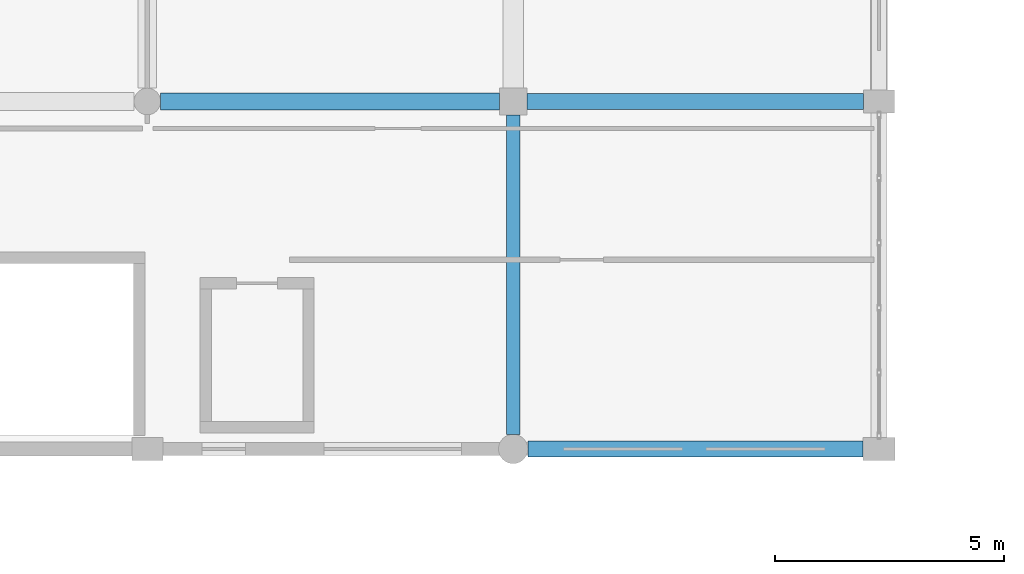
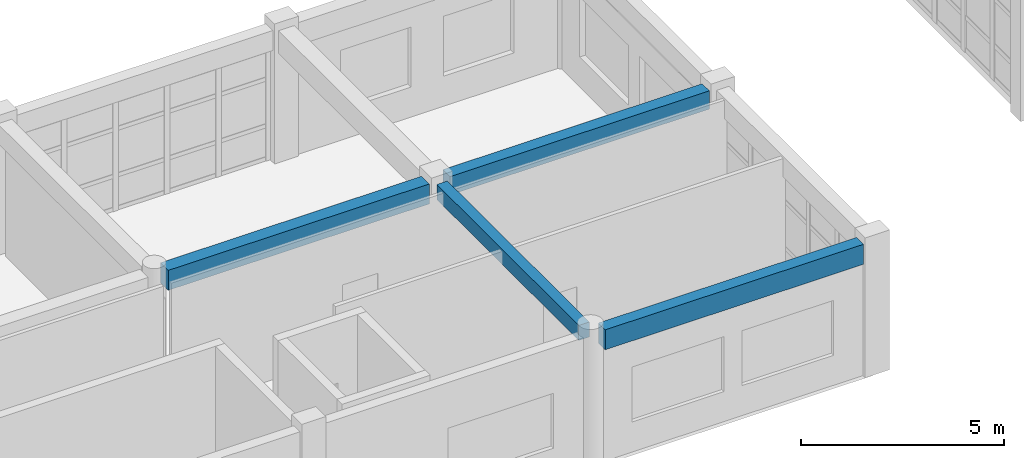
# One storey, part 38 of 121: 4 beams.
"""IFC4 building model written with IfcOpenShell, lengths in metres."""

from ifc_helpers import new_model, si_unit, direction, frame, origin, origin_2d, place, context, subcontext, project, spatial, rectangle, extrude, material, material_profile, profile_set, type_object, element, save


model = new_model("IFC4")

# Units and contexts
model_context = context("Model", 3, precision=1e-05, world=origin(), true_north=direction((0.0, 1.0)))
body_context = subcontext(model_context, "Body", "Model", "MODEL_VIEW")
ifc_project = project(units=[si_unit("LENGTHUNIT", "METRE"), si_unit("AREAUNIT", "SQUARE_METRE"), si_unit("VOLUMEUNIT", "CUBIC_METRE"), si_unit("PLANEANGLEUNIT", "RADIAN"), si_unit("MASSUNIT", "GRAM", prefix="KILO")], contexts=[model_context])

# Site, building, storey
site_placement = place(None, origin())
site = spatial("IfcSite", under=ifc_project, at=site_placement, CompositionType="ELEMENT")
building_placement = place(site_placement, origin())
building = spatial("IfcBuilding", under=site, at=building_placement, Name="Kharva Crest Polytechnic", CompositionType="ELEMENT")
storey_placement = place(building_placement, frame((0.0, 0.0, 13.199951171875)))
storey = spatial("IfcBuildingStorey", under=building, at=storey_placement, Name="L03", CompositionType="ELEMENT", Elevation=13.199951171875)

# Beams
ifc_material = material(Name="Concrete C35/45", Category="concrete")
ifc_material_profile_1 = material_profile(ifc_material, rectangle(XDim=0.300048828125, YDim=0.449951171875, at=origin_2d()), Name="RECT 300 X 450")
ifc_profile_set_1 = profile_set([ifc_material_profile_1], Name="Concrete C35/45")
beam_type_1 = type_object("IfcBeamType", Name="BM-RC-300X450", PredefinedType="BEAM", material=ifc_profile_set_1)
beam_1_placement = place(storey_placement, frame((104.0, 7.919921875, 3.735107421875), z_axis=(0.0, 1.0, 0.0), x_axis=(-1.0, 0.0, 0.0)))
element("IfcBeam", 1, at=beam_1_placement, inside=storey, type_object=beam_type_1, Name="L03 Girder 14/B-C", PredefinedType="BEAM", context=body_context, shape_type="SweptSolid", body=[
    extrude(rectangle(XDim=0.300048828125, YDim=0.449951171875, at=origin_2d()), origin(), (0.0, 0.0, 1.0), 6.97998046875),
])
ifc_material_profile_2 = material_profile(ifc_material, rectangle(XDim=0.35009765625, YDim=0.550048828125, at=origin_2d()), Name="RECT 350 X 550")
ifc_profile_set_2 = profile_set([ifc_material_profile_2], Name="Concrete C35/45")
beam_type_2 = type_object("IfcBeamType", Name="BM-RC-350X550", PredefinedType="BEAM", material=ifc_profile_set_2)
beam_2_placement = place(storey_placement, frame((104.300048828125, 15.199951171875, 3.68505859375), z_axis=(1.0, 0.0, 0.0), x_axis=(0.0, 1.0, 0.0)))
element("IfcBeam", 2, at=beam_2_placement, inside=storey, type_object=beam_type_2, Name="L03 Beam C/14-15", PredefinedType="BEAM", context=body_context, shape_type="SweptSolid", body=[
    extrude(rectangle(XDim=0.35009765625, YDim=0.550048828125, at=origin_2d()), origin(), (0.0, 0.0, 1.0), 7.35986328125),
])
ifc_material_profile_3 = material_profile(ifc_material, rectangle(XDim=0.3798828125, YDim=0.60009765625, at=origin_2d()), Name="RECT 380 X 600")
ifc_profile_set_3 = profile_set([ifc_material_profile_3], Name="Concrete C35/45")
beam_type_3 = type_object("IfcBeamType", Name="BM-RC-380X600", PredefinedType="BEAM", material=ifc_profile_set_3)
beam_3_placement = place(storey_placement, frame((96.2900390625, 15.199951171875, 3.66015625), z_axis=(1.0, 0.0, 0.0), x_axis=(0.0, 1.0, 0.0)))
element("IfcBeam", 3, at=beam_3_placement, inside=storey, type_object=beam_type_3, Name="L03 Beam C/13-14", PredefinedType="BEAM", context=body_context, shape_type="SweptSolid", body=[
    extrude(rectangle(XDim=0.3798828125, YDim=0.60009765625, at=origin_2d()), origin(), (0.0, 0.0, 1.0), 7.409912109375),
])
ifc_material_profile_4 = material_profile(ifc_material, rectangle(XDim=0.340087890625, YDim=0.60009765625, at=origin_2d()), Name="RECT 340 X 600")
ifc_profile_set_4 = profile_set([ifc_material_profile_4], Name="Concrete C35/45")
beam_type_4 = type_object("IfcBeamType", Name="SP-RC-340X600", PredefinedType="SPANDREL", material=ifc_profile_set_4)
beam_4_placement = place(storey_placement, frame((104.320068359375, 7.60009765625, 3.66015625), z_axis=(1.0, 0.0, 0.0), x_axis=(0.0, 1.0, 0.0)))
element("IfcBeam", 4, at=beam_4_placement, inside=storey, type_object=beam_type_4, Name="L03 Beam B/14-15", PredefinedType="SPANDREL", context=body_context, shape_type="SweptSolid", body=[
    extrude(rectangle(XDim=0.340087890625, YDim=0.60009765625, at=origin_2d()), origin(), (0.0, 0.0, 1.0), 7.329833984375),
])

save(model, "model.ifc")
